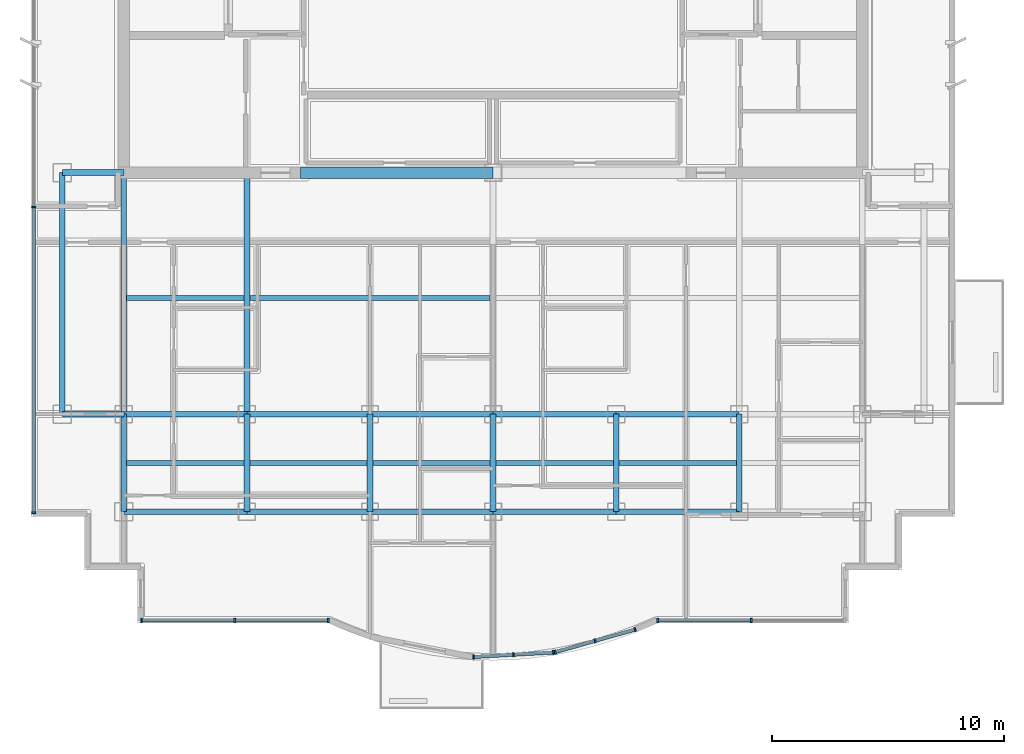
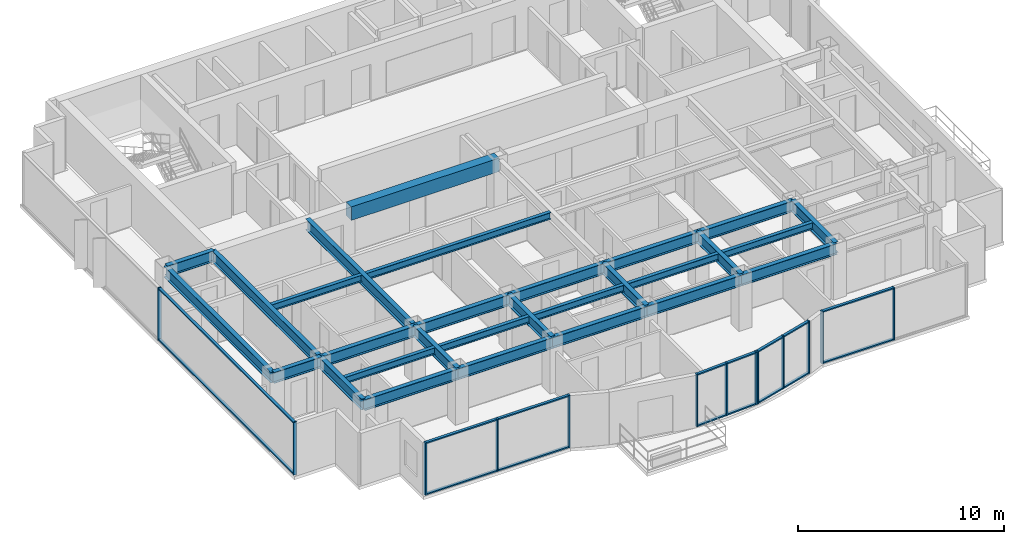
# One storey, part 2 of 11: 29 beams, 29 members, 5 elements without a shape of their own.
"""IFC4 building model written with IfcOpenShell, lengths in metres."""

from ifc_helpers import new_model, si_unit, direction, frame, origin, origin_2d, place, context, subcontext, project, spatial, rectangle, i_section, extrude, source, transform, mapped, material, layer, layer_set, material_profile, profile_set, type_object, element, aggregate, save


model = new_model("IFC4")

# Units and contexts
model_context = context("Model", 3, precision=1e-05, world=origin(), true_north=direction((0.0, 1.0)))
body_context = subcontext(model_context, "Body", "Model", "MODEL_VIEW")
ifc_project = project(units=[si_unit("LENGTHUNIT", "METRE"), si_unit("AREAUNIT", "SQUARE_METRE"), si_unit("VOLUMEUNIT", "CUBIC_METRE"), si_unit("PLANEANGLEUNIT", "RADIAN"), si_unit("MASSUNIT", "GRAM", prefix="KILO")], contexts=[model_context])

# Site, building, storey
site_placement = place(None, origin())
site = spatial("IfcSite", under=ifc_project, at=site_placement, CompositionType="ELEMENT")
building_placement = place(site_placement, origin())
building = spatial("IfcBuilding", under=site, at=building_placement, Name="Qianlan Lanfeng Residences", CompositionType="ELEMENT")
storey_placement = place(building_placement, frame((0.0, 0.0, 223.10009765625)))
storey = spatial("IfcBuildingStorey", under=building, at=storey_placement, Name="L61", CompositionType="ELEMENT", Elevation=223.10009765625)

# Beams
ifc_material_1 = material(Name="Steel SN490B", Category="steel")
ifc_material_profile_1 = material_profile(ifc_material_1, i_section(OverallWidth=0.25, OverallDepth=0.64990234375, WebThickness=0.012939453125, FlangeThickness=0.02197265625, at=origin_2d()), Name="H 650x250x13x22")
ifc_profile_set_1 = profile_set([ifc_material_profile_1], Name="Steel SN490B")
beam_type_1 = type_object("IfcBeamType", Name="G-650", PredefinedType="BEAM", material=ifc_profile_set_1)
beam_1_placement = place(storey_placement, frame((10.60009765625, 10.60009765625, 2.784912109375), z_axis=(1.0, 0.0, 0.0), x_axis=(0.0, 1.0, 0.0)))
element("IfcBeam", 1, at=beam_1_placement, inside=storey, type_object=beam_type_1, Name="Structural beam G-650", PredefinedType="BEAM", context=body_context, shape_type="SweptSolid", body=[
    extrude(i_section(OverallWidth=0.25, OverallDepth=0.64990234375, WebThickness=0.012939453125, FlangeThickness=0.02197265625, at=origin_2d()), origin(), (0.0, 0.0, 1.0), 5.2998046875),
])
for number, where, z_axis, x_axis, name in (
    (2, (15.89990234375, 10.60009765625, 2.784912109375), (1.0, 0.0, 0.0), (0.0, 1.0, 0.0), "Structural beam G-650"),
    (3, (21.199951171875, 10.60009765625, 2.784912109375), (1.0, 0.0, 0.0), (0.0, 1.0, 0.0), "Structural beam G-650"),
    (4, (26.5, 10.60009765625, 2.784912109375), (1.0, 0.0, 0.0), (0.0, 1.0, 0.0), "Structural beam G-650"),
    (5, (31.800048828125, 10.60009765625, 2.784912109375), (1.0, 0.0, 0.0), (0.0, 1.0, 0.0), "Structural beam G-650"),
):
    element("IfcBeam", number, at=place(storey_placement, frame(where, z_axis=z_axis, x_axis=x_axis)), inside=storey, type_object=beam_type_1, Name=name, PredefinedType="BEAM", context=body_context, shape_type="SweptSolid", body=[
        extrude(i_section(OverallWidth=0.25, OverallDepth=0.64990234375, WebThickness=0.012939453125, FlangeThickness=0.02197265625, at=origin_2d()), origin(), (0.0, 0.0, 1.0), 5.300048828125),
    ])
beam_2_placement = place(storey_placement, frame((7.949951171875, 14.800048828125, 2.784912109375), z_axis=(1.0, 0.0, 0.0), x_axis=(0.0, 1.0, 0.0)))
element("IfcBeam", 6, at=beam_2_placement, inside=storey, type_object=beam_type_1, Name="Structural beam G-650", PredefinedType="BEAM", context=body_context, shape_type="SweptSolid", body=[
    extrude(i_section(OverallWidth=0.25, OverallDepth=0.64990234375, WebThickness=0.012939453125, FlangeThickness=0.02197265625, at=origin_2d()), origin(), (0.0, 0.0, 1.0), 2.650146484375),
])
beam_3_placement = place(storey_placement, frame((10.60009765625, 14.800048828125, 2.784912109375), z_axis=(1.0, 0.0, 0.0), x_axis=(0.0, 1.0, 0.0)))
element("IfcBeam", 7, at=beam_3_placement, inside=storey, type_object=beam_type_1, Name="Structural beam G-650", PredefinedType="BEAM", context=body_context, shape_type="SweptSolid", body=[
    extrude(i_section(OverallWidth=0.25, OverallDepth=0.64990234375, WebThickness=0.012939453125, FlangeThickness=0.02197265625, at=origin_2d()), origin(), (0.0, 0.0, 1.0), 5.2998046875),
])
for number, where, z_axis, x_axis, name in (
    (8, (15.89990234375, 14.800048828125, 2.784912109375), (1.0, 0.0, 0.0), (0.0, 1.0, 0.0), "Structural beam G-650"),
    (9, (21.199951171875, 14.800048828125, 2.784912109375), (1.0, 0.0, 0.0), (0.0, 1.0, 0.0), "Structural beam G-650"),
    (10, (26.5, 14.800048828125, 2.784912109375), (1.0, 0.0, 0.0), (0.0, 1.0, 0.0), "Structural beam G-650"),
    (11, (31.800048828125, 14.800048828125, 2.784912109375), (1.0, 0.0, 0.0), (0.0, 1.0, 0.0), "Structural beam G-650"),
):
    element("IfcBeam", number, at=place(storey_placement, frame(where, z_axis=z_axis, x_axis=x_axis)), inside=storey, type_object=beam_type_1, Name=name, PredefinedType="BEAM", context=body_context, shape_type="SweptSolid", body=[
        extrude(i_section(OverallWidth=0.25, OverallDepth=0.64990234375, WebThickness=0.012939453125, FlangeThickness=0.02197265625, at=origin_2d()), origin(), (0.0, 0.0, 1.0), 5.300048828125),
    ])
beam_4_placement = place(storey_placement, frame((7.949951171875, 25.199951171875, 2.784912109375), z_axis=(1.0, 0.0, 0.0), x_axis=(0.0, 1.0, 0.0)))
element("IfcBeam", 12, at=beam_4_placement, inside=storey, type_object=beam_type_1, Name="Structural beam G-650", PredefinedType="BEAM", context=body_context, shape_type="SweptSolid", body=[
    extrude(i_section(OverallWidth=0.25, OverallDepth=0.64990234375, WebThickness=0.012939453125, FlangeThickness=0.02197265625, at=origin_2d()), origin(), (0.0, 0.0, 1.0), 2.650146484375),
])
beam_5_placement = place(storey_placement, frame((10.60009765625, 10.60009765625, 2.784912109375), z_axis=(0.0, 1.0, 0.0), x_axis=(-1.0, 0.0, 0.0)))
element("IfcBeam", 13, at=beam_5_placement, inside=storey, type_object=beam_type_1, Name="Structural beam G-650", PredefinedType="BEAM", context=body_context, shape_type="SweptSolid", body=[
    extrude(i_section(OverallWidth=0.25, OverallDepth=0.64990234375, WebThickness=0.012939453125, FlangeThickness=0.02197265625, at=origin_2d()), origin(), (0.0, 0.0, 1.0), 4.199951171875),
])
beam_6_placement = place(storey_placement, frame((10.60009765625, 14.800048828125, 2.784912109375), z_axis=(0.0, 1.0, 0.0), x_axis=(-1.0, 0.0, 0.0)))
element("IfcBeam", 14, at=beam_6_placement, inside=storey, type_object=beam_type_1, Name="Structural beam G-650", PredefinedType="BEAM", context=body_context, shape_type="SweptSolid", body=[
    extrude(i_section(OverallWidth=0.25, OverallDepth=0.64990234375, WebThickness=0.012939453125, FlangeThickness=0.02197265625, at=origin_2d()), origin(), (0.0, 0.0, 1.0), 10.39990234375),
])
beam_7_placement = place(storey_placement, frame((15.89990234375, 10.60009765625, 2.784912109375), z_axis=(0.0, 1.0, 0.0), x_axis=(-1.0, 0.0, 0.0)))
element("IfcBeam", 15, at=beam_7_placement, inside=storey, type_object=beam_type_1, Name="Structural beam G-650", PredefinedType="BEAM", context=body_context, shape_type="SweptSolid", body=[
    extrude(i_section(OverallWidth=0.25, OverallDepth=0.64990234375, WebThickness=0.012939453125, FlangeThickness=0.02197265625, at=origin_2d()), origin(), (0.0, 0.0, 1.0), 4.199951171875),
])
beam_8_placement = place(storey_placement, frame((15.89990234375, 14.800048828125, 2.784912109375), z_axis=(0.0, 1.0, 0.0), x_axis=(-1.0, 0.0, 0.0)))
element("IfcBeam", 16, at=beam_8_placement, inside=storey, type_object=beam_type_1, Name="Structural beam G-650", PredefinedType="BEAM", context=body_context, shape_type="SweptSolid", body=[
    extrude(i_section(OverallWidth=0.25, OverallDepth=0.64990234375, WebThickness=0.012939453125, FlangeThickness=0.02197265625, at=origin_2d()), origin(), (0.0, 0.0, 1.0), 10.39990234375),
])
for number, where, z_axis, x_axis, name in (
    (17, (21.199951171875, 10.60009765625, 2.784912109375), (0.0, 1.0, 0.0), (-1.0, 0.0, 0.0), "Structural beam G-650"),
    (18, (26.5, 10.60009765625, 2.784912109375), (0.0, 1.0, 0.0), (-1.0, 0.0, 0.0), "Structural beam G-650"),
    (19, (31.800048828125, 10.60009765625, 2.784912109375), (0.0, 1.0, 0.0), (-1.0, 0.0, 0.0), "Structural beam G-650"),
    (20, (37.10009765625, 10.60009765625, 2.784912109375), (0.0, 1.0, 0.0), (-1.0, 0.0, 0.0), "Structural beam G-650"),
):
    element("IfcBeam", number, at=place(storey_placement, frame(where, z_axis=z_axis, x_axis=x_axis)), inside=storey, type_object=beam_type_1, Name=name, PredefinedType="BEAM", context=body_context, shape_type="SweptSolid", body=[
        extrude(i_section(OverallWidth=0.25, OverallDepth=0.64990234375, WebThickness=0.012939453125, FlangeThickness=0.02197265625, at=origin_2d()), origin(), (0.0, 0.0, 1.0), 4.199951171875),
    ])
ifc_material_profile_2 = material_profile(ifc_material_1, i_section(OverallWidth=0.199951171875, OverallDepth=0.39990234375, WebThickness=0.008056640625, FlangeThickness=0.012939453125, at=origin_2d()), Name="H 400x200x8x13")
ifc_profile_set_2 = profile_set([ifc_material_profile_2], Name="Steel SN490B")
beam_type_2 = type_object("IfcBeamType", Name="J-400", PredefinedType="JOIST", material=ifc_profile_set_2)
beam_9_placement = place(storey_placement, frame((10.72509765625, 12.699951171875, 2.909912109375), z_axis=(1.0, 0.0, 0.0), x_axis=(0.0, 1.0, 0.0)))
element("IfcBeam", 21, at=beam_9_placement, inside=storey, type_object=beam_type_2, Name="Structural beam J-400", PredefinedType="JOIST", context=body_context, shape_type="SweptSolid", body=[
    extrude(i_section(OverallWidth=0.199951171875, OverallDepth=0.39990234375, WebThickness=0.008056640625, FlangeThickness=0.012939453125, at=origin_2d()), origin(), (0.0, 0.0, 1.0), 5.0498046875),
])
for number, where, z_axis, x_axis, name in (
    (22, (16.02490234375, 12.699951171875, 2.909912109375), (1.0, 0.0, 0.0), (0.0, 1.0, 0.0), "Structural beam J-400"),
    (23, (21.324951171875, 12.699951171875, 2.909912109375), (1.0, 0.0, 0.0), (0.0, 1.0, 0.0), "Structural beam J-400"),
    (24, (26.625, 12.699951171875, 2.909912109375), (1.0, 0.0, 0.0), (0.0, 1.0, 0.0), "Structural beam J-400"),
    (25, (31.925048828125, 12.699951171875, 2.909912109375), (1.0, 0.0, 0.0), (0.0, 1.0, 0.0), "Structural beam J-400"),
):
    element("IfcBeam", number, at=place(storey_placement, frame(where, z_axis=z_axis, x_axis=x_axis)), inside=storey, type_object=beam_type_2, Name=name, PredefinedType="JOIST", context=body_context, shape_type="SweptSolid", body=[
        extrude(i_section(OverallWidth=0.199951171875, OverallDepth=0.39990234375, WebThickness=0.008056640625, FlangeThickness=0.012939453125, at=origin_2d()), origin(), (0.0, 0.0, 1.0), 5.050048828125),
    ])
beam_10_placement = place(storey_placement, frame((10.72509765625, 19.800048828125, 2.909912109375), z_axis=(1.0, 0.0, 0.0), x_axis=(0.0, 1.0, 0.0)))
element("IfcBeam", 26, at=beam_10_placement, inside=storey, type_object=beam_type_2, Name="Structural beam J-400", PredefinedType="JOIST", context=body_context, shape_type="SweptSolid", body=[
    extrude(i_section(OverallWidth=0.199951171875, OverallDepth=0.39990234375, WebThickness=0.008056640625, FlangeThickness=0.012939453125, at=origin_2d()), origin(), (0.0, 0.0, 1.0), 5.0498046875),
])
beam_11_placement = place(storey_placement, frame((16.02490234375, 19.800048828125, 2.909912109375), z_axis=(1.0, 0.0, 0.0), x_axis=(0.0, 1.0, 0.0)))
element("IfcBeam", 27, at=beam_11_placement, inside=storey, type_object=beam_type_2, Name="Structural beam J-400", PredefinedType="JOIST", context=body_context, shape_type="SweptSolid", body=[
    extrude(i_section(OverallWidth=0.199951171875, OverallDepth=0.39990234375, WebThickness=0.008056640625, FlangeThickness=0.012939453125, at=origin_2d()), origin(), (0.0, 0.0, 1.0), 10.35009765625),
])
ifc_material_2 = material(Name="Concrete C49", Category="concrete")
ifc_material_profile_3 = material_profile(ifc_material_2, rectangle(XDim=0.5, YDim=0.800048828125, at=origin_2d()), Name="RC 500x800")
ifc_profile_set_3 = profile_set([ifc_material_profile_3], Name="Concrete C49")
beam_type_3 = type_object("IfcBeamType", Name="LB-RC750", PredefinedType="BEAM", material=ifc_profile_set_3)
beam_12_placement = place(storey_placement, frame((18.199951171875, 25.199951171875, 2.7099609375), z_axis=(1.0, 0.0, 0.0), x_axis=(0.0, 1.0, 0.0)))
element("IfcBeam", 28, at=beam_12_placement, inside=storey, type_object=beam_type_3, Name="L61 Core Coupling Beam W", PredefinedType="BEAM", context=body_context, shape_type="SweptSolid", body=[
    extrude(rectangle(XDim=0.5, YDim=0.800048828125, at=origin_2d()), origin(), (0.0, 0.0, 1.0), 8.300048828125),
])
ifc_material_profile_4 = material_profile(ifc_material_1, i_section(OverallWidth=0.25, OverallDepth=0.64990234375, WebThickness=0.012939453125, FlangeThickness=0.02197265625, at=origin_2d()), Name="H 650x250x13x22")
ifc_profile_set_4 = profile_set([ifc_material_profile_4], Name="Steel SN490B")
beam_type_4 = type_object("IfcBeamType", Name="SG-650", PredefinedType="SPANDREL", material=ifc_profile_set_4)
beam_13_placement = place(storey_placement, frame((7.949951171875, 14.800048828125, 2.764892578125), z_axis=(0.0, 1.0, 0.0), x_axis=(-1.0, 0.0, 0.0)))
element("IfcBeam", 29, at=beam_13_placement, inside=storey, type_object=beam_type_4, Name="Structural beam SG-650", PredefinedType="SPANDREL", context=body_context, shape_type="SweptSolid", body=[
    extrude(i_section(OverallWidth=0.25, OverallDepth=0.64990234375, WebThickness=0.012939453125, FlangeThickness=0.02197265625, at=origin_2d()), origin(), (0.0, 0.0, 1.0), 10.39990234375),
])

# Curtain wall, members
ifc_material_3 = material(Name="Anodised Bronze Aluminium 6063-T6", Category="aluminium")
ifc_layer = layer(ifc_material_3, 0.219970703125)
ifc_layer_set = layer_set([ifc_layer], Name="Anodised Bronze Aluminium 6063-T6")
curtain_wall_type = type_object("IfcCurtainWallType", Name="CW-05", PredefinedType="NOTDEFINED", material=ifc_layer_set)
curtain_wall_1_placement = place(storey_placement, origin())
curtain_wall_1 = element("IfcCurtainWall", 30, at=curtain_wall_1_placement, inside=storey, type_object=curtain_wall_type, Name="L61 Unitised Curtain Wall CWR-L61-01 (CW-05)", PredefinedType="NOTDEFINED")
ifc_material_profile_5 = material_profile(ifc_material_3, rectangle(XDim=0.074951171875, YDim=0.14990234375, at=origin_2d()), Name="ALU TRANSOM 75x150")
ifc_profile_set_5 = profile_set([ifc_material_profile_5], Name="Anodised Bronze Aluminium 6063-T6")
member_type_1 = type_object("IfcMemberType", Name="CWT-150", PredefinedType="USERDEFINED", material=ifc_profile_set_5)
shared_shape_1 = source(origin(), body_context, "Body", "SweptSolid", [
    extrude(rectangle(XDim=0.074951171875, YDim=0.14990234375, at=origin_2d()), origin(), (0.0, 0.0, 1.0), 3.949462890625),
])
member_1_placement = place(storey_placement, frame((11.39501953125, 5.919921875, 0.037353515625), z_axis=(1.0, 0.0, 0.0), x_axis=(0.0, 0.0, 1.0)))
member_1 = element("IfcMember", 31, at=member_1_placement, type_object=member_type_1, Name="CWR-L61-01 Transom 1-BOT", ObjectType="TRANSOM", PredefinedType="USERDEFINED", context=body_context, shape_type="MappedRepresentation", body=[
    mapped(shared_shape_1, transform((0.0, 0.0, 0.0), scale=1.0)),
])
member_2_placement = place(storey_placement, frame((11.39501953125, 5.919921875, 3.072509765625), z_axis=(1.0, 0.0, 0.0), x_axis=(0.0, 0.0, 1.0)))
member_2 = element("IfcMember", 32, at=member_2_placement, type_object=member_type_1, Name="CWR-L61-01 Transom 1-TOP", ObjectType="TRANSOM", PredefinedType="USERDEFINED", context=body_context, shape_type="MappedRepresentation", body=[
    mapped(shared_shape_1, transform((0.0, 0.0, 0.0), scale=1.0)),
])
member_3_placement = place(storey_placement, frame((15.41943359375, 5.919921875, 0.037353515625), z_axis=(1.0, 0.0, 0.0), x_axis=(0.0, 0.0, 1.0)))
member_3 = element("IfcMember", 33, at=member_3_placement, type_object=member_type_1, Name="CWR-L61-01 Transom 2-BOT", ObjectType="TRANSOM", PredefinedType="USERDEFINED", context=body_context, shape_type="MappedRepresentation", body=[
    mapped(shared_shape_1, transform((0.0, 0.0, 0.0), scale=1.0)),
])
member_4_placement = place(storey_placement, frame((15.41943359375, 5.919921875, 3.072509765625), z_axis=(1.0, 0.0, 0.0), x_axis=(0.0, 0.0, 1.0)))
member_4 = element("IfcMember", 34, at=member_4_placement, type_object=member_type_1, Name="CWR-L61-01 Transom 2-TOP", ObjectType="TRANSOM", PredefinedType="USERDEFINED", context=body_context, shape_type="MappedRepresentation", body=[
    mapped(shared_shape_1, transform((0.0, 0.0, 0.0), scale=1.0)),
])

curtain_wall_2_placement = place(storey_placement, origin())
curtain_wall_2 = element("IfcCurtainWall", 35, at=curtain_wall_2_placement, inside=storey, type_object=curtain_wall_type, Name="L61 Unitised Curtain Wall CWR-L61-04 (CW-05)", PredefinedType="NOTDEFINED")
member_5_placement = place(storey_placement, frame((33.631103515625, 5.919921875, 0.037353515625), z_axis=(1.0, 0.0, 0.0), x_axis=(0.0, 0.0, 1.0)))
member_5 = element("IfcMember", 36, at=member_5_placement, type_object=member_type_1, Name="CWR-L61-04 Transom 1-BOT", ObjectType="TRANSOM", PredefinedType="USERDEFINED", context=body_context, shape_type="MappedRepresentation", body=[
    mapped(shared_shape_1, transform((0.0, 0.0, 0.0), scale=1.0)),
])
member_6_placement = place(storey_placement, frame((33.631103515625, 5.919921875, 3.072509765625), z_axis=(1.0, 0.0, 0.0), x_axis=(0.0, 0.0, 1.0)))
member_6 = element("IfcMember", 37, at=member_6_placement, type_object=member_type_1, Name="CWR-L61-04 Transom 1-TOP", ObjectType="TRANSOM", PredefinedType="USERDEFINED", context=body_context, shape_type="MappedRepresentation", body=[
    mapped(shared_shape_1, transform((0.0, 0.0, 0.0), scale=1.0)),
])

curtain_wall_3_placement = place(storey_placement, origin())
curtain_wall_3 = element("IfcCurtainWall", 38, at=curtain_wall_3_placement, inside=storey, type_object=curtain_wall_type, Name="L61 Unitised Curtain Wall CWR-L61-05 (CW-05)", PredefinedType="NOTDEFINED")
shared_shape_2 = source(origin(), body_context, "Body", "SweptSolid", [
    extrude(rectangle(XDim=0.074951171875, YDim=0.14990234375, at=origin_2d()), origin(), (0.0, 0.0, 1.0), 13.092529296875),
])
member_7_placement = place(storey_placement, frame((6.719970703125, 23.6875, 0.037353515625), z_axis=(0.0, -1.0, 0.0), x_axis=(0.0, 0.0, 1.0)))
member_7 = element("IfcMember", 39, at=member_7_placement, type_object=member_type_1, Name="CWR-L61-05 Transom 2-BOT", ObjectType="TRANSOM", PredefinedType="USERDEFINED", context=body_context, shape_type="MappedRepresentation", body=[
    mapped(shared_shape_2, transform((0.0, 0.0, 0.0), scale=1.0)),
])
member_8_placement = place(storey_placement, frame((6.719970703125, 23.6875, 3.072509765625), z_axis=(0.0, -1.0, 0.0), x_axis=(0.0, 0.0, 1.0)))
member_8 = element("IfcMember", 40, at=member_8_placement, type_object=member_type_1, Name="CWR-L61-05 Transom 2-TOP", ObjectType="TRANSOM", PredefinedType="USERDEFINED", context=body_context, shape_type="MappedRepresentation", body=[
    mapped(shared_shape_2, transform((0.0, 0.0, 0.0), scale=1.0)),
])

# Member
ifc_material_profile_6 = material_profile(ifc_material_3, rectangle(XDim=0.074951171875, YDim=0.179931640625, at=origin_2d()), Name="ALU MULLION 75x180")
ifc_profile_set_6 = profile_set([ifc_material_profile_6], Name="Anodised Bronze Aluminium 6063-T6")
member_type_2 = type_object("IfcMemberType", Name="CWM-180", PredefinedType="MULLION", material=ifc_profile_set_6)
shared_shape_3 = source(origin(), body_context, "Body", "SweptSolid", [
    extrude(rectangle(XDim=0.074951171875, YDim=0.179931640625, at=origin_2d()), origin(), (0.0, 0.0, 1.0), 3.10986328125),
])
member_9_placement = place(storey_placement, frame((11.357421875, 5.919921875, 0.0), z_axis=(0.0, 0.0, 1.0), x_axis=(1.0, 0.0, 0.0)))
member_9 = element("IfcMember", 41, at=member_9_placement, type_object=member_type_2, Name="CWR-L61-01 Mullion 1", PredefinedType="MULLION", context=body_context, shape_type="MappedRepresentation", body=[
    mapped(shared_shape_3, transform((0.0, 0.0, 0.0), scale=1.0)),
])

member_10_placement = place(storey_placement, frame((15.382080078125, 5.919921875, 0.0), z_axis=(0.0, 0.0, 1.0), x_axis=(1.0, 0.0, 0.0)))
member_10 = element("IfcMember", 42, at=member_10_placement, type_object=member_type_2, Name="CWR-L61-01 Mullion 2", PredefinedType="MULLION", context=body_context, shape_type="MappedRepresentation", body=[
    mapped(shared_shape_3, transform((0.0, 0.0, 0.0), scale=1.0)),
])

member_11_placement = place(storey_placement, frame((19.406494140625, 5.919921875, 0.0), z_axis=(0.0, 0.0, 1.0), x_axis=(1.0, 0.0, 0.0)))
member_11 = element("IfcMember", 43, at=member_11_placement, type_object=member_type_2, Name="CWR-L61-01 Mullion 3", PredefinedType="MULLION", context=body_context, shape_type="MappedRepresentation", body=[
    mapped(shared_shape_3, transform((0.0, 0.0, 0.0), scale=1.0)),
])

aggregate(curtain_wall_1, [member_9, member_10, member_11, member_1, member_2, member_3, member_4])

# Curtain wall, members
curtain_wall_4_placement = place(storey_placement, origin())
curtain_wall_4 = element("IfcCurtainWall", 44, at=curtain_wall_4_placement, inside=storey, type_object=curtain_wall_type, Name="L61 Unitised Curtain Wall CWR-L61-02 (CW-05)", PredefinedType="NOTDEFINED")
member_12_placement = place(storey_placement, frame((25.659423828125, 4.34716796875, 0.0), z_axis=(0.0, 0.0, 1.0), x_axis=(0.998415428603, 0.056272834713, 0.0)))
member_12 = element("IfcMember", 45, at=member_12_placement, type_object=member_type_2, Name="CWR-L61-02 Mullion 1", PredefinedType="MULLION", context=body_context, shape_type="MappedRepresentation", body=[
    mapped(shared_shape_3, transform((0.0, 0.0, 0.0), scale=1.0)),
])
member_13_placement = place(storey_placement, frame((27.37841796875, 4.444091796875, 0.0), z_axis=(0.0, 0.0, 1.0), x_axis=(0.998415428603, 0.056272834713, 0.0)))
member_13 = element("IfcMember", 46, at=member_13_placement, type_object=member_type_2, Name="CWR-L61-02 Mullion 2", PredefinedType="MULLION", context=body_context, shape_type="MappedRepresentation", body=[
    mapped(shared_shape_3, transform((0.0, 0.0, 0.0), scale=1.0)),
])
member_14_placement = place(storey_placement, frame((29.09765625, 4.541015625, 0.0), z_axis=(0.0, 0.0, 1.0), x_axis=(0.998415428603, 0.056272834713, 0.0)))
member_14 = element("IfcMember", 47, at=member_14_placement, type_object=member_type_2, Name="CWR-L61-02 Mullion 3", PredefinedType="MULLION", context=body_context, shape_type="MappedRepresentation", body=[
    mapped(shared_shape_3, transform((0.0, 0.0, 0.0), scale=1.0)),
])

curtain_wall_5_placement = place(storey_placement, origin())
curtain_wall_5 = element("IfcCurtainWall", 48, at=curtain_wall_5_placement, inside=storey, type_object=curtain_wall_type, Name="L61 Unitised Curtain Wall CWR-L61-03 (CW-05)", PredefinedType="NOTDEFINED")
member_15_placement = place(storey_placement, frame((29.171142578125, 4.55322265625, 0.0), z_axis=(0.0, 0.0, 1.0), x_axis=(0.962284495419, 0.272045124705, 0.0)))
member_15 = element("IfcMember", 49, at=member_15_placement, type_object=member_type_2, Name="CWR-L61-03 Mullion 1", PredefinedType="MULLION", context=body_context, shape_type="MappedRepresentation", body=[
    mapped(shared_shape_3, transform((0.0, 0.0, 0.0), scale=1.0)),
])
member_16_placement = place(storey_placement, frame((30.89306640625, 5.0400390625, 0.0), z_axis=(0.0, 0.0, 1.0), x_axis=(0.962284495419, 0.272045124705, 0.0)))
member_16 = element("IfcMember", 50, at=member_16_placement, type_object=member_type_2, Name="CWR-L61-03 Mullion 2", PredefinedType="MULLION", context=body_context, shape_type="MappedRepresentation", body=[
    mapped(shared_shape_3, transform((0.0, 0.0, 0.0), scale=1.0)),
])
member_17_placement = place(storey_placement, frame((32.614990234375, 5.52685546875, 0.0), z_axis=(0.0, 0.0, 1.0), x_axis=(0.962284495419, 0.272045124705, 0.0)))
member_17 = element("IfcMember", 51, at=member_17_placement, type_object=member_type_2, Name="CWR-L61-03 Mullion 3", PredefinedType="MULLION", context=body_context, shape_type="MappedRepresentation", body=[
    mapped(shared_shape_3, transform((0.0, 0.0, 0.0), scale=1.0)),
])

# Member
member_18_placement = place(storey_placement, frame((33.593505859375, 5.919921875, 0.0), z_axis=(0.0, 0.0, 1.0), x_axis=(1.0, 0.0, 0.0)))
member_18 = element("IfcMember", 52, at=member_18_placement, type_object=member_type_2, Name="CWR-L61-04 Mullion 1", PredefinedType="MULLION", context=body_context, shape_type="MappedRepresentation", body=[
    mapped(shared_shape_3, transform((0.0, 0.0, 0.0), scale=1.0)),
])

member_19_placement = place(storey_placement, frame((37.617919921875, 5.919921875, 0.0), z_axis=(0.0, 0.0, 1.0), x_axis=(1.0, 0.0, 0.0)))
member_19 = element("IfcMember", 53, at=member_19_placement, type_object=member_type_2, Name="CWR-L61-04 Mullion 2", PredefinedType="MULLION", context=body_context, shape_type="MappedRepresentation", body=[
    mapped(shared_shape_3, transform((0.0, 0.0, 0.0), scale=1.0)),
])

aggregate(curtain_wall_2, [member_18, member_19, member_5, member_6])

member_20_placement = place(storey_placement, frame((6.719970703125, 23.72509765625, 0.0), z_axis=(0.0, 0.0, 1.0), x_axis=(0.0, -1.0, 0.0)))
member_20 = element("IfcMember", 54, at=member_20_placement, type_object=member_type_2, Name="CWR-L61-05 Mullion 2", PredefinedType="MULLION", context=body_context, shape_type="MappedRepresentation", body=[
    mapped(shared_shape_3, transform((0.0, 0.0, 0.0), scale=1.0)),
])

member_21_placement = place(storey_placement, frame((6.719970703125, 10.5576171875, 0.0), z_axis=(0.0, 0.0, 1.0), x_axis=(0.0, -1.0, 0.0)))
member_21 = element("IfcMember", 55, at=member_21_placement, type_object=member_type_2, Name="CWR-L61-05 Mullion 3", PredefinedType="MULLION", context=body_context, shape_type="MappedRepresentation", body=[
    mapped(shared_shape_3, transform((0.0, 0.0, 0.0), scale=1.0)),
])

aggregate(curtain_wall_3, [member_20, member_21, member_7, member_8])

shared_shape_4 = source(origin(), body_context, "Body", "SweptSolid", [
    extrude(rectangle(XDim=0.074951171875, YDim=0.14990234375, at=origin_2d()), origin(), (0.0, 0.0, 1.0), 1.646728515625),
])
member_22_placement = place(storey_placement, frame((25.697021484375, 4.34912109375, 0.037353515625), z_axis=(0.998411616838, 0.056340423879, 0.0), x_axis=(0.0, 0.0, 1.0)))
member_22 = element("IfcMember", 56, at=member_22_placement, type_object=member_type_1, Name="CWR-L61-02 Transom 1-BOT", ObjectType="TRANSOM", PredefinedType="USERDEFINED", context=body_context, shape_type="MappedRepresentation", body=[
    mapped(shared_shape_4, transform((0.0, 0.0, 0.0), scale=1.0)),
])

member_23_placement = place(storey_placement, frame((25.697021484375, 4.34912109375, 3.072509765625), z_axis=(0.998411616838, 0.056340423879, 0.0), x_axis=(0.0, 0.0, 1.0)))
member_23 = element("IfcMember", 57, at=member_23_placement, type_object=member_type_1, Name="CWR-L61-02 Transom 1-TOP", ObjectType="TRANSOM", PredefinedType="USERDEFINED", context=body_context, shape_type="MappedRepresentation", body=[
    mapped(shared_shape_4, transform((0.0, 0.0, 0.0), scale=1.0)),
])

member_24_placement = place(storey_placement, frame((27.416015625, 4.446044921875, 0.037353515625), z_axis=(0.998411616838, 0.056340423879, 0.0), x_axis=(0.0, 0.0, 1.0)))
member_24 = element("IfcMember", 58, at=member_24_placement, type_object=member_type_1, Name="CWR-L61-02 Transom 2-BOT", ObjectType="TRANSOM", PredefinedType="USERDEFINED", context=body_context, shape_type="MappedRepresentation", body=[
    mapped(shared_shape_4, transform((0.0, 0.0, 0.0), scale=1.0)),
])

member_25_placement = place(storey_placement, frame((27.416015625, 4.446044921875, 3.072509765625), z_axis=(0.998411616838, 0.056340423879, 0.0), x_axis=(0.0, 0.0, 1.0)))
member_25 = element("IfcMember", 59, at=member_25_placement, type_object=member_type_1, Name="CWR-L61-02 Transom 2-TOP", ObjectType="TRANSOM", PredefinedType="USERDEFINED", context=body_context, shape_type="MappedRepresentation", body=[
    mapped(shared_shape_4, transform((0.0, 0.0, 0.0), scale=1.0)),
])

aggregate(curtain_wall_4, [member_12, member_13, member_14, member_22, member_23, member_24, member_25])

shared_shape_5 = source(origin(), body_context, "Body", "SweptSolid", [
    extrude(rectangle(XDim=0.074951171875, YDim=0.14990234375, at=origin_2d()), origin(), (0.0, 0.0, 1.0), 1.71435546875),
])
member_26_placement = place(storey_placement, frame((29.207275390625, 4.5634765625, 0.037353515625), z_axis=(0.9622940071, 0.272011477514, 0.0), x_axis=(0.0, 0.0, 1.0)))
member_26 = element("IfcMember", 60, at=member_26_placement, type_object=member_type_1, Name="CWR-L61-03 Transom 1-BOT", ObjectType="TRANSOM", PredefinedType="USERDEFINED", context=body_context, shape_type="MappedRepresentation", body=[
    mapped(shared_shape_5, transform((0.0, 0.0, 0.0), scale=1.0)),
])

member_27_placement = place(storey_placement, frame((29.207275390625, 4.5634765625, 3.072509765625), z_axis=(0.9622940071, 0.272011477514, 0.0), x_axis=(0.0, 0.0, 1.0)))
member_27 = element("IfcMember", 61, at=member_27_placement, type_object=member_type_1, Name="CWR-L61-03 Transom 1-TOP", ObjectType="TRANSOM", PredefinedType="USERDEFINED", context=body_context, shape_type="MappedRepresentation", body=[
    mapped(shared_shape_5, transform((0.0, 0.0, 0.0), scale=1.0)),
])

member_28_placement = place(storey_placement, frame((30.92919921875, 5.05029296875, 0.037353515625), z_axis=(0.9622940071, 0.272011477514, 0.0), x_axis=(0.0, 0.0, 1.0)))
member_28 = element("IfcMember", 62, at=member_28_placement, type_object=member_type_1, Name="CWR-L61-03 Transom 2-BOT", ObjectType="TRANSOM", PredefinedType="USERDEFINED", context=body_context, shape_type="MappedRepresentation", body=[
    mapped(shared_shape_5, transform((0.0, 0.0, 0.0), scale=1.0)),
])

member_29_placement = place(storey_placement, frame((30.92919921875, 5.05029296875, 3.072509765625), z_axis=(0.9622940071, 0.272011477514, 0.0), x_axis=(0.0, 0.0, 1.0)))
member_29 = element("IfcMember", 63, at=member_29_placement, type_object=member_type_1, Name="CWR-L61-03 Transom 2-TOP", ObjectType="TRANSOM", PredefinedType="USERDEFINED", context=body_context, shape_type="MappedRepresentation", body=[
    mapped(shared_shape_5, transform((0.0, 0.0, 0.0), scale=1.0)),
])

aggregate(curtain_wall_5, [member_15, member_16, member_17, member_26, member_27, member_28, member_29])

save(model, "model.ifc")
